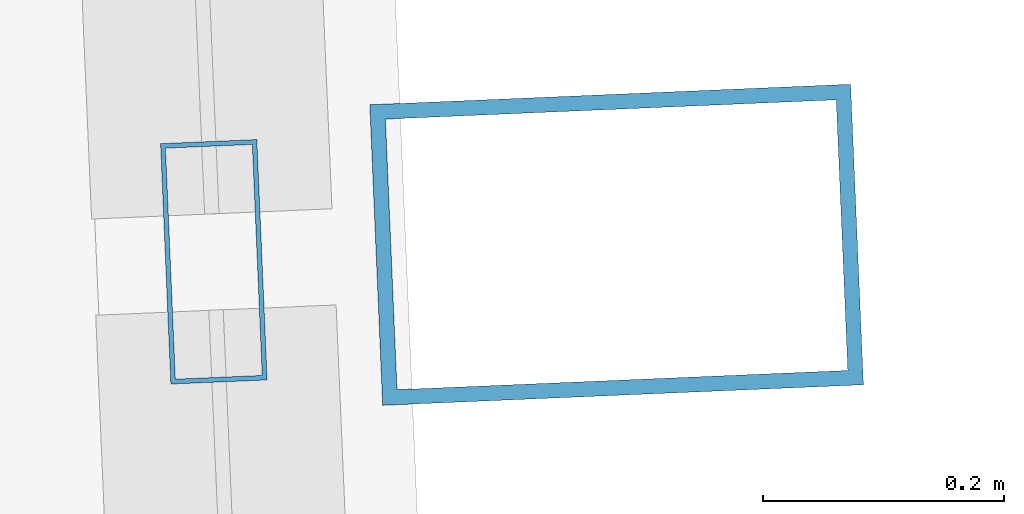
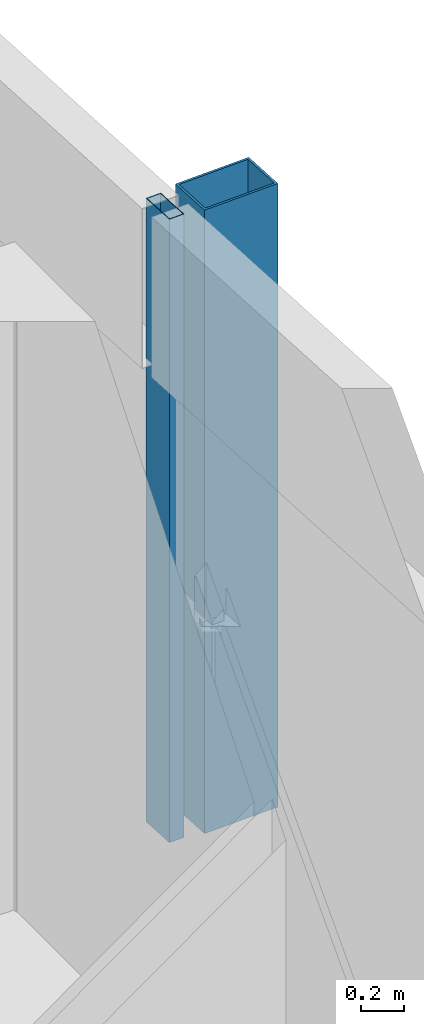
# One storey, part 29 of 45: 2 members, 1 element without a shape of its own.
"""IFC4 building model written with IfcOpenShell, lengths in metres."""

from ifc_helpers import new_model, si_unit, direction, frame, origin, origin_2d, place, context, subcontext, project, spatial, hollow_rectangle, extrude, material, material_profile, profile_set, type_object, element, aggregate, save


model = new_model("IFC4")

# Units and contexts
model_context = context("Model", 3, precision=1e-05, world=origin(), true_north=direction((0.0, 1.0)))
body_context = subcontext(model_context, "Body", "Model", "MODEL_VIEW")
ifc_project = project(units=[si_unit("LENGTHUNIT", "METRE"), si_unit("AREAUNIT", "SQUARE_METRE"), si_unit("VOLUMEUNIT", "CUBIC_METRE"), si_unit("PLANEANGLEUNIT", "RADIAN"), si_unit("MASSUNIT", "GRAM", prefix="KILO")], contexts=[model_context])

# Site, building, storey
site_placement = place(None, origin())
site = spatial("IfcSite", under=ifc_project, at=site_placement, CompositionType="ELEMENT")
building_placement = place(site_placement, origin())
building = spatial("IfcBuilding", under=site, at=building_placement, Name="Rekha Terrace Tower", CompositionType="ELEMENT")
storey_placement = place(building_placement, frame((0.0, 0.0, 36.64990234375)))
storey = spatial("IfcBuildingStorey", under=building, at=storey_placement, Name="L08", CompositionType="ELEMENT", Elevation=36.64990234375)

# Curtain wall, members
ifc_material_1 = material(Name="Aluminium framing", Category="aluminium")
curtain_wall_type = type_object("IfcCurtainWallType", Name="CW2 double skin outer glazing", PredefinedType="USERDEFINED", material=ifc_material_1)
curtain_wall_placement = place(storey_placement, origin())
curtain_wall = element("IfcCurtainWall", 1, at=curtain_wall_placement, inside=storey, type_object=curtain_wall_type, Name="CW2 double skin outer glazing", ObjectType="DOUBLE SKIN OUTER GLAZING", PredefinedType="USERDEFINED")
ifc_material_2 = material(Name="Steel S355 with fluorocarbon finish", Category="steel")
ifc_material_profile_1 = material_profile(ifc_material_2, hollow_rectangle(XDim=0.25, YDim=0.39990234375, WallThickness=0.012451171875, at=origin_2d()), Name="RHS400x250x12.5")
ifc_profile_set_1 = profile_set([ifc_material_profile_1], Name="Steel S355 with fluorocarbon finish")
member_type_1 = type_object("IfcMemberType", Name="BL1 facade blade RHS 400 x 250", PredefinedType="USERDEFINED", material=ifc_profile_set_1)
member_1_placement = place(storey_placement, frame((69.554443359375, 51.724609375, 0.0), z_axis=(0.0, 0.0, 1.0), x_axis=(-0.04269522475, 0.99908814315, 0.0)))
member_1 = element("IfcMember", 2, at=member_1_placement, type_object=member_type_1, Name="Facade blade", ObjectType="FACADE BLADE", PredefinedType="USERDEFINED", context=body_context, shape_type="SweptSolid", body=[
    extrude(hollow_rectangle(XDim=0.25, YDim=0.39990234375, WallThickness=0.012451171875, at=origin_2d()), origin(), (0.0, 0.0, 1.0), 3.5),
])
ifc_material_3 = material(Name="Aluminium mullion section", Category="aluminium")
ifc_material_profile_2 = material_profile(ifc_material_3, hollow_rectangle(XDim=0.080078125, YDim=0.199951171875, WallThickness=0.00390625, at=origin_2d()), Name="AL RHS 80x200")
ifc_profile_set_2 = profile_set([ifc_material_profile_2], Name="Aluminium mullion section")
member_type_2 = type_object("IfcMemberType", Name="CW2 mullion RHS 80 x 200", PredefinedType="MULLION", material=ifc_profile_set_2)
member_2_placement = place(storey_placement, frame((69.2197265625, 51.71044921875, 0.0), z_axis=(0.0, 0.0, 1.0), x_axis=(-0.999088106903, -0.042696072956, 0.0)))
member_2 = element("IfcMember", 3, at=member_2_placement, type_object=member_type_2, Name="CW2 mullion 4", PredefinedType="MULLION", context=body_context, shape_type="SweptSolid", body=[
    extrude(hollow_rectangle(XDim=0.080078125, YDim=0.199951171875, WallThickness=0.00390625, at=origin_2d()), origin(), (0.0, 0.0, 1.0), 3.5),
])
aggregate(curtain_wall, [member_2, member_1])

save(model, "model.ifc")
